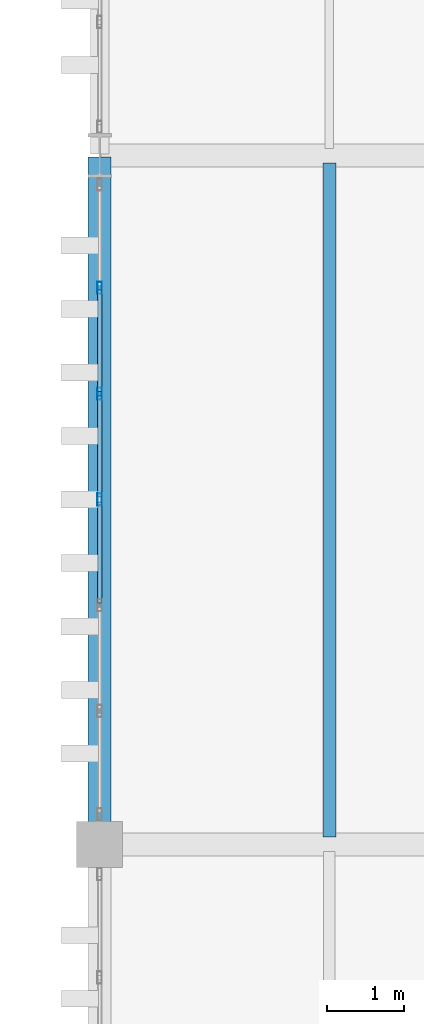
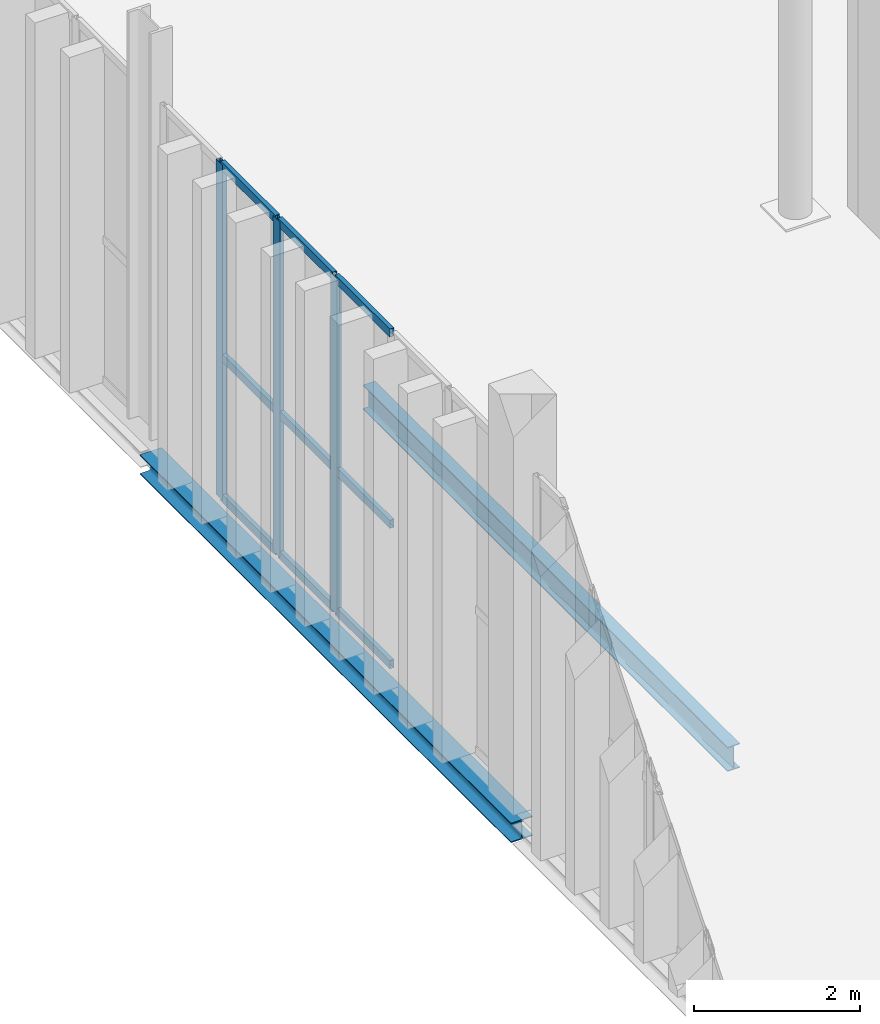
# One storey, part 116 of 211: 12 members, 2 beams, 1 element without a shape of its own.
"""IFC4 building model written with IfcOpenShell, lengths in metres."""

from ifc_helpers import new_model, si_unit, direction, frame, origin, origin_2d, place, context, subcontext, project, spatial, hollow_rectangle, i_section, extrude, material, layer, layer_set, material_profile, profile_set, type_object, element, aggregate, save


model = new_model("IFC4")

# Units and contexts
model_context = context("Model", 3, precision=1e-05, world=origin(), true_north=direction((0.0, 1.0)))
body_context = subcontext(model_context, "Body", "Model", "MODEL_VIEW")
ifc_project = project(units=[si_unit("LENGTHUNIT", "METRE"), si_unit("AREAUNIT", "SQUARE_METRE"), si_unit("VOLUMEUNIT", "CUBIC_METRE"), si_unit("PLANEANGLEUNIT", "RADIAN"), si_unit("MASSUNIT", "GRAM", prefix="KILO")], contexts=[model_context])

# Site, building, storey
site_placement = place(None, origin())
site = spatial("IfcSite", under=ifc_project, at=site_placement, CompositionType="ELEMENT")
building_placement = place(site_placement, origin())
building = spatial("IfcBuilding", under=site, at=building_placement, Name="Barlavento Convention Centre", CompositionType="ELEMENT")
storey_placement = place(building_placement, frame((0.0, 0.0, 6.0)))
storey = spatial("IfcBuildingStorey", under=building, at=storey_placement, Name="L01", CompositionType="ELEMENT", Elevation=6.0)

# Curtain wall, members
ifc_material_1 = material(Name="Powder-coated aluminium and Low-E glass", Category="aluminium")
ifc_layer = layer(ifc_material_1, 0.195068359375)
ifc_layer_set = layer_set([ifc_layer], Name="ARC-CW-PATIO-A")
curtain_wall_type = type_object("IfcCurtainWallType", Name="ARC-CW-PATIO-A", PredefinedType="NOTDEFINED", material=ifc_layer_set)
curtain_wall_placement = place(storey_placement, origin())
curtain_wall = element("IfcCurtainWall", 1, at=curtain_wall_placement, inside=storey, type_object=curtain_wall_type, Name="L01 unitised curtain wall CW11", PredefinedType="NOTDEFINED")
ifc_material_2 = material(Name="Powder-coated aluminium", Category="aluminium")
ifc_material_profile_1 = material_profile(ifc_material_2, hollow_rectangle(XDim=0.06005859375, YDim=0.159912109375, WallThickness=0.00390625, at=origin_2d()), Name="AL-MULL 60x160x4")
ifc_profile_set_1 = profile_set([ifc_material_profile_1], Name="Powder-coated aluminium")
member_type_1 = type_object("IfcMemberType", Name="ARC-CWM-60X160", PredefinedType="MULLION", material=ifc_profile_set_1)
member_1_placement = place(storey_placement, frame((171.0, 76.507080078125, 0.0), z_axis=(0.0, 0.0, 1.0), x_axis=(-1.0, 0.0, 0.0)))
member_1 = element("IfcMember", 2, at=member_1_placement, type_object=member_type_1, Name="CW11 mullion 4", PredefinedType="MULLION", context=body_context, shape_type="SweptSolid", body=[
    extrude(hollow_rectangle(XDim=0.06005859375, YDim=0.159912109375, WallThickness=0.00390625, at=origin_2d()), origin(), (0.0, 0.0, 1.0), 4.949951171875),
])
member_2_placement = place(storey_placement, frame((171.0, 77.889404296875, 0.0), z_axis=(0.0, 0.0, 1.0), x_axis=(-1.0, 0.0, 0.0)))
member_2 = element("IfcMember", 3, at=member_2_placement, type_object=member_type_1, Name="CW11 mullion 5", PredefinedType="MULLION", context=body_context, shape_type="SweptSolid", body=[
    extrude(hollow_rectangle(XDim=0.06005859375, YDim=0.159912109375, WallThickness=0.00390625, at=origin_2d()), origin(), (0.0, 0.0, 1.0), 4.949951171875),
])
member_3_placement = place(storey_placement, frame((171.0, 79.271728515625, 0.0), z_axis=(0.0, 0.0, 1.0), x_axis=(-1.0, 0.0, 0.0)))
member_3 = element("IfcMember", 4, at=member_3_placement, type_object=member_type_1, Name="CW11 mullion 6", PredefinedType="MULLION", context=body_context, shape_type="SweptSolid", body=[
    extrude(hollow_rectangle(XDim=0.06005859375, YDim=0.159912109375, WallThickness=0.00390625, at=origin_2d()), origin(), (0.0, 0.0, 1.0), 4.949951171875),
])
ifc_material_profile_2 = material_profile(ifc_material_2, hollow_rectangle(XDim=0.06005859375, YDim=0.1201171875, WallThickness=0.00390625, at=origin_2d()), Name="AL-TRAN 60x120x4")
ifc_profile_set_2 = profile_set([ifc_material_profile_2], Name="Powder-coated aluminium")
member_type_2 = type_object("IfcMemberType", Name="ARC-CWT-60X120", PredefinedType="USERDEFINED", material=ifc_profile_set_2)
member_4_placement = place(storey_placement, frame((171.0, 75.15478515625, 0.030029296875), z_axis=(0.0, 1.0, 0.0), x_axis=(-1.0, 0.0, 0.0)))
member_4 = element("IfcMember", 5, at=member_4_placement, type_object=member_type_2, Name="CW11 transom 3.1", ObjectType="TRANSOM", PredefinedType="USERDEFINED", context=body_context, shape_type="SweptSolid", body=[
    extrude(hollow_rectangle(XDim=0.06005859375, YDim=0.1201171875, WallThickness=0.00390625, at=origin_2d()), origin(), (0.0, 0.0, 1.0), 1.322265625),
])
member_5_placement = place(storey_placement, frame((171.0, 75.15478515625, 2.10009765625), z_axis=(0.0, 1.0, 0.0), x_axis=(-1.0, 0.0, 0.0)))
member_5 = element("IfcMember", 6, at=member_5_placement, type_object=member_type_2, Name="CW11 transom 3.2", ObjectType="TRANSOM", PredefinedType="USERDEFINED", context=body_context, shape_type="SweptSolid", body=[
    extrude(hollow_rectangle(XDim=0.06005859375, YDim=0.1201171875, WallThickness=0.00390625, at=origin_2d()), origin(), (0.0, 0.0, 1.0), 1.322265625),
])
member_6_placement = place(storey_placement, frame((171.0, 75.15478515625, 4.919921875), z_axis=(0.0, 1.0, 0.0), x_axis=(-1.0, 0.0, 0.0)))
member_6 = element("IfcMember", 7, at=member_6_placement, type_object=member_type_2, Name="CW11 transom 3.3", ObjectType="TRANSOM", PredefinedType="USERDEFINED", context=body_context, shape_type="SweptSolid", body=[
    extrude(hollow_rectangle(XDim=0.06005859375, YDim=0.1201171875, WallThickness=0.00390625, at=origin_2d()), origin(), (0.0, 0.0, 1.0), 1.322265625),
])
member_7_placement = place(storey_placement, frame((171.0, 76.537109375, 0.030029296875), z_axis=(0.0, 1.0, 0.0), x_axis=(-1.0, 0.0, 0.0)))
member_7 = element("IfcMember", 8, at=member_7_placement, type_object=member_type_2, Name="CW11 transom 4.1", ObjectType="TRANSOM", PredefinedType="USERDEFINED", context=body_context, shape_type="SweptSolid", body=[
    extrude(hollow_rectangle(XDim=0.06005859375, YDim=0.1201171875, WallThickness=0.00390625, at=origin_2d()), origin(), (0.0, 0.0, 1.0), 1.322265625),
])
member_8_placement = place(storey_placement, frame((171.0, 76.537109375, 2.10009765625), z_axis=(0.0, 1.0, 0.0), x_axis=(-1.0, 0.0, 0.0)))
member_8 = element("IfcMember", 9, at=member_8_placement, type_object=member_type_2, Name="CW11 transom 4.2", ObjectType="TRANSOM", PredefinedType="USERDEFINED", context=body_context, shape_type="SweptSolid", body=[
    extrude(hollow_rectangle(XDim=0.06005859375, YDim=0.1201171875, WallThickness=0.00390625, at=origin_2d()), origin(), (0.0, 0.0, 1.0), 1.322265625),
])
member_9_placement = place(storey_placement, frame((171.0, 76.537109375, 4.919921875), z_axis=(0.0, 1.0, 0.0), x_axis=(-1.0, 0.0, 0.0)))
member_9 = element("IfcMember", 10, at=member_9_placement, type_object=member_type_2, Name="CW11 transom 4.3", ObjectType="TRANSOM", PredefinedType="USERDEFINED", context=body_context, shape_type="SweptSolid", body=[
    extrude(hollow_rectangle(XDim=0.06005859375, YDim=0.1201171875, WallThickness=0.00390625, at=origin_2d()), origin(), (0.0, 0.0, 1.0), 1.322265625),
])
member_10_placement = place(storey_placement, frame((171.0, 77.91943359375, 0.030029296875), z_axis=(0.0, 1.0, 0.0), x_axis=(-1.0, 0.0, 0.0)))
member_10 = element("IfcMember", 11, at=member_10_placement, type_object=member_type_2, Name="CW11 transom 5.1", ObjectType="TRANSOM", PredefinedType="USERDEFINED", context=body_context, shape_type="SweptSolid", body=[
    extrude(hollow_rectangle(XDim=0.06005859375, YDim=0.1201171875, WallThickness=0.00390625, at=origin_2d()), origin(), (0.0, 0.0, 1.0), 1.322265625),
])
member_11_placement = place(storey_placement, frame((171.0, 77.91943359375, 2.10009765625), z_axis=(0.0, 1.0, 0.0), x_axis=(-1.0, 0.0, 0.0)))
member_11 = element("IfcMember", 12, at=member_11_placement, type_object=member_type_2, Name="CW11 transom 5.2", ObjectType="TRANSOM", PredefinedType="USERDEFINED", context=body_context, shape_type="SweptSolid", body=[
    extrude(hollow_rectangle(XDim=0.06005859375, YDim=0.1201171875, WallThickness=0.00390625, at=origin_2d()), origin(), (0.0, 0.0, 1.0), 1.322265625),
])
member_12_placement = place(storey_placement, frame((171.0, 77.91943359375, 4.919921875), z_axis=(0.0, 1.0, 0.0), x_axis=(-1.0, 0.0, 0.0)))
member_12 = element("IfcMember", 13, at=member_12_placement, type_object=member_type_2, Name="CW11 transom 5.3", ObjectType="TRANSOM", PredefinedType="USERDEFINED", context=body_context, shape_type="SweptSolid", body=[
    extrude(hollow_rectangle(XDim=0.06005859375, YDim=0.1201171875, WallThickness=0.00390625, at=origin_2d()), origin(), (0.0, 0.0, 1.0), 1.322265625),
])
aggregate(curtain_wall, [member_1, member_2, member_3, member_4, member_5, member_6, member_7, member_8, member_9, member_10, member_11, member_12])

# Beams
ifc_material_3 = material(Name="Steel S355", Category="steel")
ifc_material_profile_3 = material_profile(ifc_material_3, i_section(OverallWidth=0.169921875, OverallDepth=0.360107421875, WebThickness=0.008056640625, FlangeThickness=0.0126953125, FilletRadius=0.01806640625, at=origin_2d()), Name="IPE 360")
ifc_profile_set_3 = profile_set([ifc_material_profile_3], Name="Steel S355")
beam_type_1 = type_object("IfcBeamType", Name="STR-BM-JST-IPE360", PredefinedType="JOIST", material=ifc_profile_set_3)
beam_1_placement = place(storey_placement, frame((174.0, 72.094970703125, -0.5400390625), z_axis=(0.0, 1.0, 0.0), x_axis=(-1.0, 0.0, 0.0)))
element("IfcBeam", 14, at=beam_1_placement, inside=storey, type_object=beam_type_1, Name="L01 composite floor joist SJ05", PredefinedType="JOIST", context=body_context, shape_type="SweptSolid", body=[
    extrude(i_section(OverallWidth=0.169921875, OverallDepth=0.360107421875, WebThickness=0.008056640625, FlangeThickness=0.0126953125, FilletRadius=0.01806640625, at=origin_2d()), origin(), (0.0, 0.0, 1.0), 8.81005859375),
])
ifc_material_profile_4 = material_profile(ifc_material_3, i_section(OverallWidth=0.300048828125, OverallDepth=0.2900390625, WebThickness=0.008544921875, FlangeThickness=0.013916015625, FilletRadius=0.027099609375, at=origin_2d()), Name="HEA 300")
ifc_profile_set_4 = profile_set([ifc_material_profile_4], Name="Steel S355")
beam_type_2 = type_object("IfcBeamType", Name="STR-BM-SPN-HEA300", PredefinedType="SPANDREL", material=ifc_profile_set_4)
beam_2_placement = place(storey_placement, frame((171.0, 72.02001953125, -0.5048828125), z_axis=(0.0, 1.0, 0.0), x_axis=(-1.0, 0.0, 0.0)))
element("IfcBeam", 15, at=beam_2_placement, inside=storey, type_object=beam_type_2, Name="L01 grid girder SP02", PredefinedType="SPANDREL", context=body_context, shape_type="SweptSolid", body=[
    extrude(i_section(OverallWidth=0.300048828125, OverallDepth=0.2900390625, WebThickness=0.008544921875, FlangeThickness=0.013916015625, FilletRadius=0.027099609375, at=origin_2d()), origin(), (0.0, 0.0, 1.0), 8.9599609375),
])

save(model, "model.ifc")
